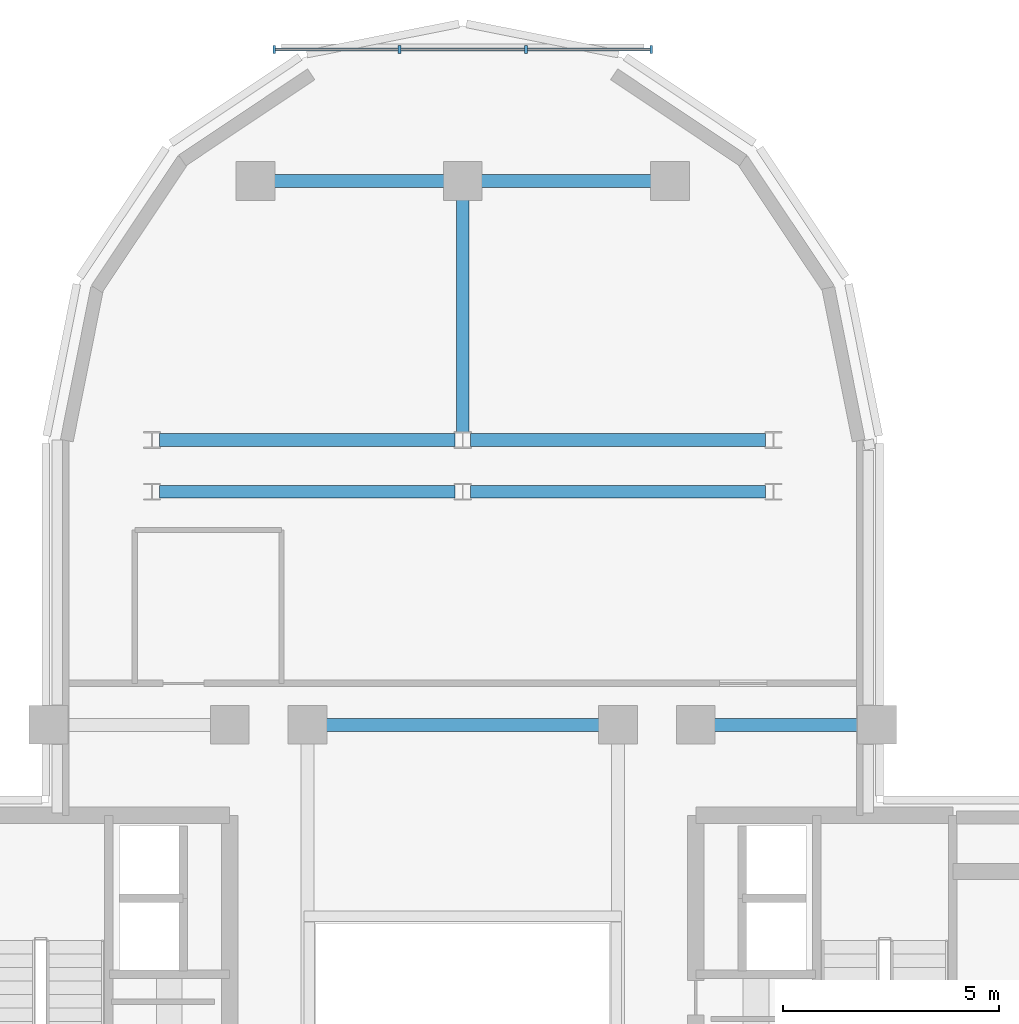
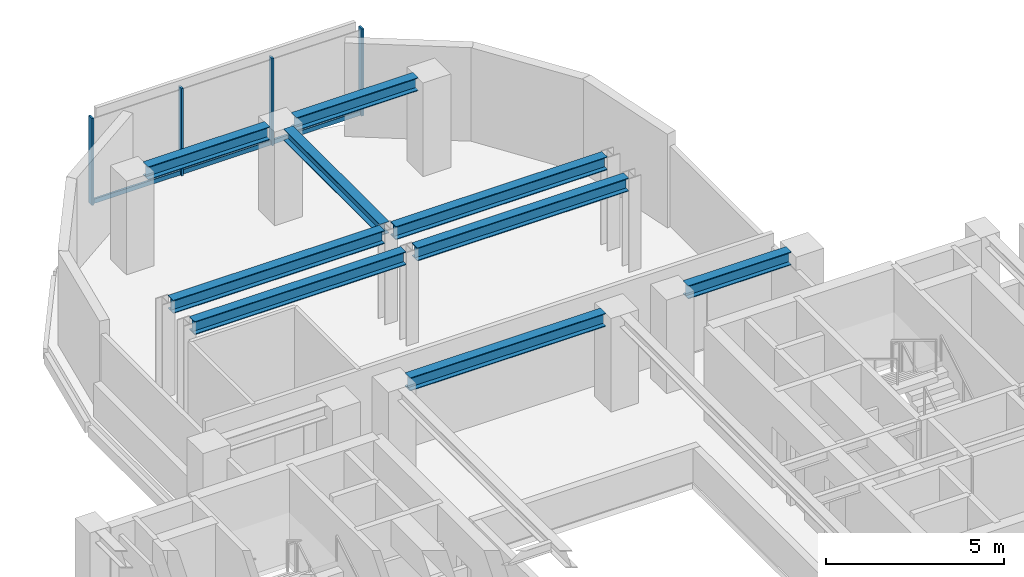
# One storey, part 4 of 11: 9 beams, 7 members, 1 element without a shape of its own.
"""IFC4 building model written with IfcOpenShell, lengths in metres."""

from ifc_helpers import new_model, si_unit, direction, frame, origin, origin_2d, place, context, subcontext, project, spatial, rectangle, i_section, extrude, source, transform, mapped, material, material_profile, profile_set, type_object, element, aggregate, save


model = new_model("IFC4")

# Units and contexts
model_context = context("Model", 3, precision=1e-05, world=origin(), true_north=direction((0.0, 1.0)))
body_context = subcontext(model_context, "Body", "Model", "MODEL_VIEW")
ifc_project = project(units=[si_unit("LENGTHUNIT", "METRE"), si_unit("AREAUNIT", "SQUARE_METRE"), si_unit("VOLUMEUNIT", "CUBIC_METRE"), si_unit("PLANEANGLEUNIT", "RADIAN"), si_unit("MASSUNIT", "GRAM", prefix="KILO")], contexts=[model_context])

# Site, building, storey
site_placement = place(None, origin())
site = spatial("IfcSite", under=ifc_project, at=site_placement, CompositionType="ELEMENT")
building_placement = place(site_placement, origin())
building = spatial("IfcBuilding", under=site, at=building_placement, Name="Keilestroom Media Tower", CompositionType="ELEMENT")
storey_placement = place(building_placement, frame((0.0, 0.0, 160.39990234375)))
storey = spatial("IfcBuildingStorey", under=building, at=storey_placement, Name="L43", CompositionType="ELEMENT", Elevation=160.39990234375)

# Beams
ifc_material_1 = material(Name="Steel S355", Category="steel")
ifc_material_profile_1 = material_profile(ifc_material_1, i_section(OverallWidth=0.300048828125, OverallDepth=0.449951171875, WebThickness=0.011962890625, FlangeThickness=0.02587890625, at=origin_2d()), Name="HEB 450")
ifc_profile_set_1 = profile_set([ifc_material_profile_1], Name="Steel S355")
beam_type_1 = type_object("IfcBeamType", Name="Primary-Structural-Girder-HEB-450", PredefinedType="BEAM", material=ifc_profile_set_1)
shared_shape_1 = source(origin(), body_context, "Body", "SweptSolid", [
    extrude(i_section(OverallWidth=0.300048828125, OverallDepth=0.449951171875, WebThickness=0.011962890625, FlangeThickness=0.02587890625, at=origin_2d()), origin(), (0.0, 0.0, 1.0), 3.940185546875),
])
for number, where, z_axis, x_axis, name in (
    (1, (-4.3701171875, 21.60009765625, 2.97509765625), (1.0, 0.0, 0.0), (0.0, 1.0, 0.0), "L43 Beam BG-7 BM-L43-EW-029"),
    (2, (0.429931640625, 21.60009765625, 2.97509765625), (1.0, 0.0, 0.0), (0.0, 1.0, 0.0), "L43 Beam BG-7 BM-L43-EW-030"),
):
    element("IfcBeam", number, at=place(storey_placement, frame(where, z_axis=z_axis, x_axis=x_axis)), inside=storey, type_object=beam_type_1, Name=name, PredefinedType="BEAM", context=body_context, shape_type="MappedRepresentation", body=[
        mapped(shared_shape_1, transform((0.0, 0.0, 0.0), x_axis=(1.0, 0.0, 0.0), y_axis=(0.0, 1.0, 0.0), z_axis=(0.0, 0.0, 1.0), scale=1.0)),
    ])
shared_shape_2 = source(origin(), body_context, "Body", "SweptSolid", [
    extrude(i_section(OverallWidth=0.300048828125, OverallDepth=0.449951171875, WebThickness=0.011962890625, FlangeThickness=0.02587890625, at=origin_2d()), origin(), (0.0, 0.0, 1.0), 6.842041015625),
])
for number, where, z_axis, x_axis, name in (
    (3, (-7.02099609375, 14.39990234375, 2.97509765625), (1.0, 0.0, 0.0), (0.0, 1.0, 0.0), "L43 Beam BG-7 BM-L43-EW-025"),
    (4, (0.178955078125, 14.39990234375, 2.97509765625), (1.0, 0.0, 0.0), (0.0, 1.0, 0.0), "L43 Beam BG-7 BM-L43-EW-026"),
    (5, (-7.02099609375, 15.60009765625, 2.97509765625), (1.0, 0.0, 0.0), (0.0, 1.0, 0.0), "L43 Beam BG-7 BM-L43-EW-027"),
    (6, (0.178955078125, 15.60009765625, 2.97509765625), (1.0, 0.0, 0.0), (0.0, 1.0, 0.0), "L43 Beam BG-7 BM-L43-EW-028"),
):
    element("IfcBeam", number, at=place(storey_placement, frame(where, z_axis=z_axis, x_axis=x_axis)), inside=storey, type_object=beam_type_1, Name=name, PredefinedType="BEAM", context=body_context, shape_type="MappedRepresentation", body=[
        mapped(shared_shape_2, transform((0.0, 0.0, 0.0), x_axis=(1.0, 0.0, 0.0), y_axis=(0.0, 1.0, 0.0), z_axis=(0.0, 0.0, 1.0), scale=1.0)),
    ])
shared_shape_3 = source(origin(), body_context, "Body", "SweptSolid", [
    extrude(i_section(OverallWidth=0.300048828125, OverallDepth=0.449951171875, WebThickness=0.011962890625, FlangeThickness=0.02587890625, at=origin_2d()), origin(), (0.0, 0.0, 1.0), 3.33984375),
])
beam_1_placement = place(storey_placement, frame((5.830078125, 9.0, 2.97509765625), z_axis=(1.0, 0.0, 0.0), x_axis=(0.0, 1.0, 0.0)))
element("IfcBeam", 7, at=beam_1_placement, inside=storey, type_object=beam_type_1, Name="L43 Beam BG-7 BM-L43-EW-024", PredefinedType="BEAM", context=body_context, shape_type="MappedRepresentation", body=[
    mapped(shared_shape_3, transform((0.0, 0.0, 0.0), x_axis=(1.0, 0.0, 0.0), y_axis=(0.0, 1.0, 0.0), z_axis=(0.0, 0.0, 1.0), scale=1.0)),
])
shared_shape_4 = source(origin(), body_context, "Body", "SweptSolid", [
    extrude(i_section(OverallWidth=0.300048828125, OverallDepth=0.449951171875, WebThickness=0.011962890625, FlangeThickness=0.02587890625, at=origin_2d()), origin(), (0.0, 0.0, 1.0), 6.33984375),
])
beam_2_placement = place(storey_placement, frame((-3.169921875, 9.0, 2.97509765625), z_axis=(1.0, 0.0, 0.0), x_axis=(0.0, 1.0, 0.0)))
element("IfcBeam", 8, at=beam_2_placement, inside=storey, type_object=beam_type_1, Name="L43 Beam BG-7 BM-L43-EW-022", PredefinedType="BEAM", context=body_context, shape_type="MappedRepresentation", body=[
    mapped(shared_shape_4, transform((0.0, 0.0, 0.0), x_axis=(1.0, 0.0, 0.0), y_axis=(0.0, 1.0, 0.0), z_axis=(0.0, 0.0, 1.0), scale=1.0)),
])
ifc_material_profile_2 = material_profile(ifc_material_1, i_section(OverallWidth=0.300048828125, OverallDepth=0.39990234375, WebThickness=0.011474609375, FlangeThickness=0.02392578125, at=origin_2d()), Name="HEB 400")
ifc_profile_set_2 = profile_set([ifc_material_profile_2], Name="Steel S355")
beam_type_2 = type_object("IfcBeamType", Name="Primary-Structural-Girder-HEB-400", PredefinedType="BEAM", material=ifc_profile_set_2)
shared_shape_5 = source(origin(), body_context, "Body", "SweptSolid", [
    extrude(i_section(OverallWidth=0.300048828125, OverallDepth=0.39990234375, WebThickness=0.011474609375, FlangeThickness=0.02392578125, at=origin_2d()), origin(), (0.0, 0.0, 1.0), 5.396484375),
])
beam_3_placement = place(storey_placement, frame((0.0, 15.7734375, 3.0), z_axis=(0.0, 1.0, 0.0), x_axis=(-1.0, 0.0, 0.0)))
element("IfcBeam", 9, at=beam_3_placement, inside=storey, type_object=beam_type_2, Name="L43 Beam BG-8 BM-L43-NS-044", PredefinedType="BEAM", context=body_context, shape_type="MappedRepresentation", body=[
    mapped(shared_shape_5, transform((0.0, 0.0, 0.0), x_axis=(1.0, 0.0, 0.0), y_axis=(0.0, 1.0, 0.0), z_axis=(0.0, 0.0, 1.0), scale=1.0)),
])

# Curtain wall, members
ifc_material_2 = material(Name="Anodised Aluminium Alloy", Category="aluminium")
curtain_wall_type = type_object("IfcCurtainWallType", Name="Unitised-Curtain-Wall-CW-6", PredefinedType="NOTDEFINED", material=ifc_material_2)
curtain_wall_placement = place(storey_placement, origin())
curtain_wall = element("IfcCurtainWall", 10, at=curtain_wall_placement, inside=storey, type_object=curtain_wall_type, Name="L43 Curtain Wall CW-6 CW-L43-LN-1", PredefinedType="NOTDEFINED")
ifc_material_profile_3 = material_profile(ifc_material_2, rectangle(XDim=0.06494140625, YDim=0.179931640625, at=origin_2d()), Name="ALU MULLION 65x180")
ifc_profile_set_3 = profile_set([ifc_material_profile_3], Name="Anodised Aluminium Alloy")
member_type_1 = type_object("IfcMemberType", Name="Curtain-Wall-Mullion-CW-6", PredefinedType="MULLION", material=ifc_profile_set_3)
shared_shape_6 = source(origin(), body_context, "Body", "SweptSolid", [
    extrude(rectangle(XDim=0.06494140625, YDim=0.179931640625, at=origin_2d()), origin(), (0.0, 0.0, 1.0), 2.97998046875),
])
member_1_placement = place(storey_placement, frame((-4.367431640625, 24.64990234375, 0.0), z_axis=(0.0, 0.0, 1.0), x_axis=(1.0, 0.0, 0.0)))
member_1 = element("IfcMember", 11, at=member_1_placement, type_object=member_type_1, Name="CW-6 Mullion 00", PredefinedType="MULLION", context=body_context, shape_type="MappedRepresentation", body=[
    mapped(shared_shape_6, transform((0.0, 0.0, 0.0), x_axis=(1.0, 0.0, 0.0), y_axis=(0.0, 1.0, 0.0), z_axis=(0.0, 0.0, 1.0), scale=1.0)),
])
member_2_placement = place(storey_placement, frame((-1.466796875, 24.64990234375, 0.0), z_axis=(0.0, 0.0, 1.0), x_axis=(1.0, 0.0, 0.0)))
member_2 = element("IfcMember", 12, at=member_2_placement, type_object=member_type_1, Name="CW-6 Mullion 01", PredefinedType="MULLION", context=body_context, shape_type="MappedRepresentation", body=[
    mapped(shared_shape_6, transform((0.0, 0.0, 0.0), x_axis=(1.0, 0.0, 0.0), y_axis=(0.0, 1.0, 0.0), z_axis=(0.0, 0.0, 1.0), scale=1.0)),
])
member_3_placement = place(storey_placement, frame((1.466796875, 24.64990234375, 0.0), z_axis=(0.0, 0.0, 1.0), x_axis=(1.0, 0.0, 0.0)))
member_3 = element("IfcMember", 13, at=member_3_placement, type_object=member_type_1, Name="CW-6 Mullion 02", PredefinedType="MULLION", context=body_context, shape_type="MappedRepresentation", body=[
    mapped(shared_shape_6, transform((0.0, 0.0, 0.0), x_axis=(1.0, 0.0, 0.0), y_axis=(0.0, 1.0, 0.0), z_axis=(0.0, 0.0, 1.0), scale=1.0)),
])
member_4_placement = place(storey_placement, frame((4.367431640625, 24.64990234375, 0.0), z_axis=(0.0, 0.0, 1.0), x_axis=(1.0, 0.0, 0.0)))
member_4 = element("IfcMember", 14, at=member_4_placement, type_object=member_type_1, Name="CW-6 Mullion 03", PredefinedType="MULLION", context=body_context, shape_type="MappedRepresentation", body=[
    mapped(shared_shape_6, transform((0.0, 0.0, 0.0), x_axis=(1.0, 0.0, 0.0), y_axis=(0.0, 1.0, 0.0), z_axis=(0.0, 0.0, 1.0), scale=1.0)),
])
ifc_material_profile_4 = material_profile(ifc_material_2, rectangle(XDim=0.06494140625, YDim=0.14990234375, at=origin_2d()), Name="ALU TRANSOM 65x150")
ifc_profile_set_4 = profile_set([ifc_material_profile_4], Name="Anodised Aluminium Alloy")
member_type_2 = type_object("IfcMemberType", Name="Curtain-Wall-Transom-CW-6", PredefinedType="USERDEFINED", material=ifc_profile_set_4)
shared_shape_7 = source(origin(), body_context, "Body", "SweptSolid", [
    extrude(rectangle(XDim=0.06494140625, YDim=0.14990234375, at=origin_2d()), origin(), (0.0, 0.0, 1.0), 2.839599609375),
])
member_5_placement = place(storey_placement, frame((-4.3369140625, 24.64990234375, 0.0751953125), z_axis=(1.0, 0.0, 0.0), x_axis=(0.0, 1.0, 0.0)))
member_5 = element("IfcMember", 15, at=member_5_placement, type_object=member_type_2, Name="CW-6 Transom 00.1", ObjectType="TRANSOM", PredefinedType="USERDEFINED", context=body_context, shape_type="MappedRepresentation", body=[
    mapped(shared_shape_7, transform((0.0, 0.0, 0.0), x_axis=(1.0, 0.0, 0.0), y_axis=(0.0, 1.0, 0.0), z_axis=(0.0, 0.0, 1.0), scale=1.0)),
])
member_6_placement = place(storey_placement, frame((1.497314453125, 24.64990234375, 0.0751953125), z_axis=(1.0, 0.0, 0.0), x_axis=(0.0, 1.0, 0.0)))
member_6 = element("IfcMember", 16, at=member_6_placement, type_object=member_type_2, Name="CW-6 Transom 02.1", ObjectType="TRANSOM", PredefinedType="USERDEFINED", context=body_context, shape_type="MappedRepresentation", body=[
    mapped(shared_shape_7, transform((0.0, 0.0, 0.0), x_axis=(1.0, 0.0, 0.0), y_axis=(0.0, 1.0, 0.0), z_axis=(0.0, 0.0, 1.0), scale=1.0)),
])
shared_shape_8 = source(origin(), body_context, "Body", "SweptSolid", [
    extrude(rectangle(XDim=0.06494140625, YDim=0.14990234375, at=origin_2d()), origin(), (0.0, 0.0, 1.0), 2.87255859375),
])
member_7_placement = place(storey_placement, frame((-1.436279296875, 24.64990234375, 0.0751953125), z_axis=(1.0, 0.0, 0.0), x_axis=(0.0, 1.0, 0.0)))
member_7 = element("IfcMember", 17, at=member_7_placement, type_object=member_type_2, Name="CW-6 Transom 01.1", ObjectType="TRANSOM", PredefinedType="USERDEFINED", context=body_context, shape_type="MappedRepresentation", body=[
    mapped(shared_shape_8, transform((0.0, 0.0, 0.0), x_axis=(1.0, 0.0, 0.0), y_axis=(0.0, 1.0, 0.0), z_axis=(0.0, 0.0, 1.0), scale=1.0)),
])
aggregate(curtain_wall, [member_1, member_2, member_3, member_4, member_5, member_7, member_6])

save(model, "model.ifc")
